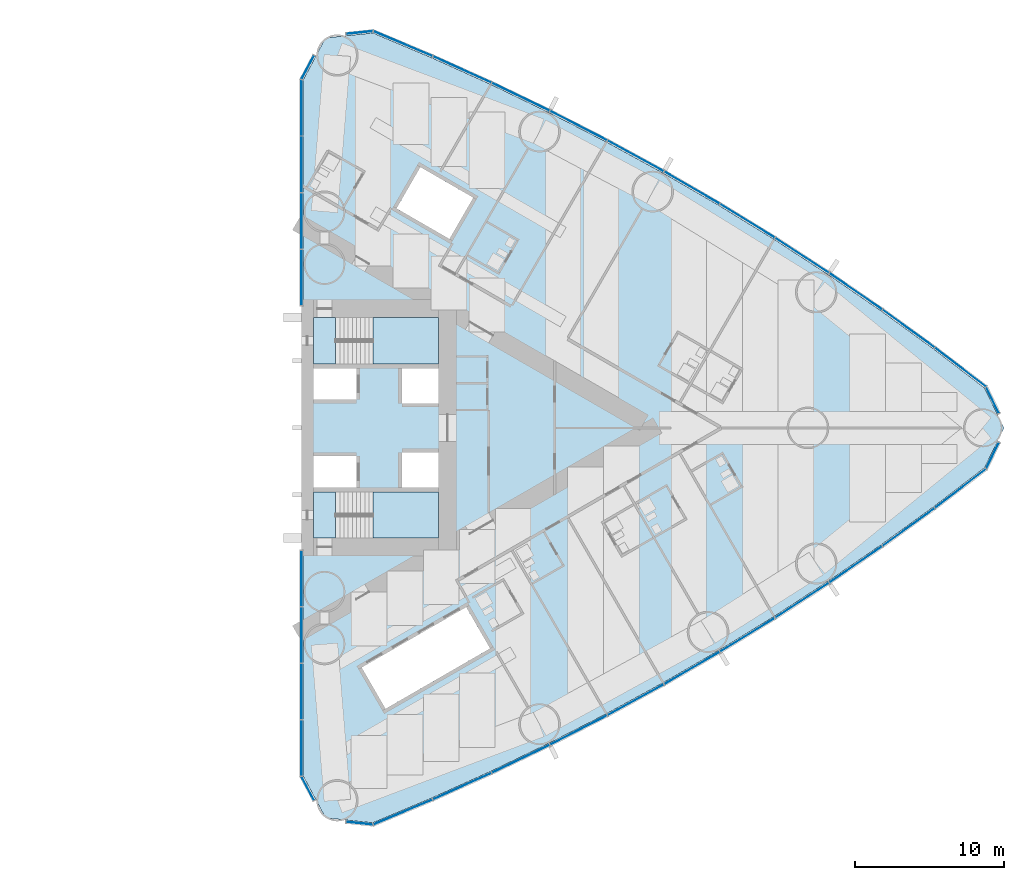
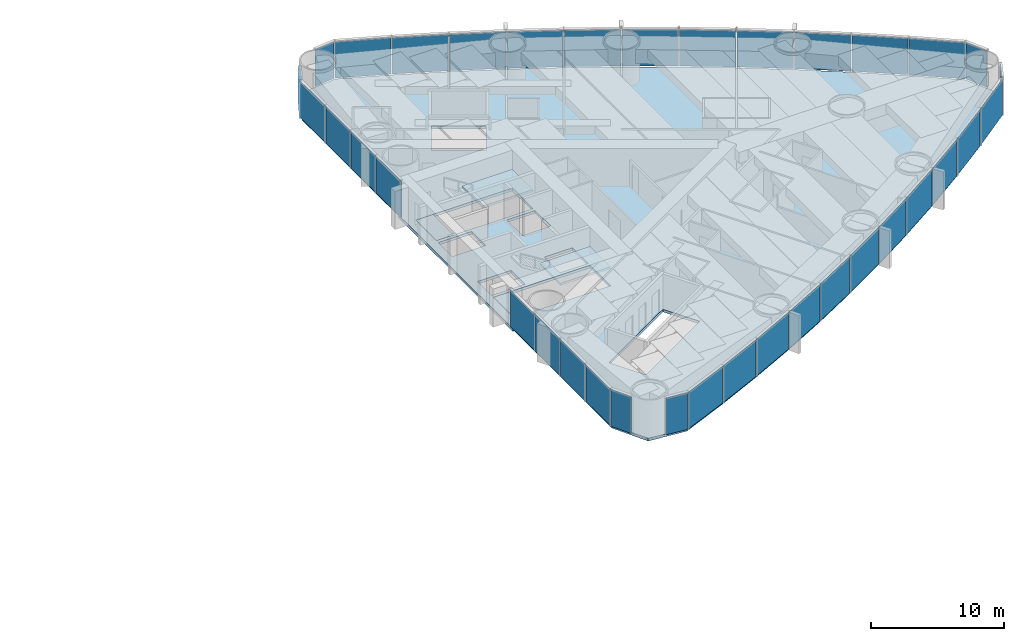
# One storey, part 10 of 18: 36 plates, 5 slabs, 6 elements without a shape of their own.
"""IFC4 building model written with IfcOpenShell, lengths in metres."""

from ifc_helpers import new_model, si_unit, direction, frame, origin, origin_2d, place, context, subcontext, project, spatial, polyline, rectangle, outline, extrude, material, layer, layer_set, type_object, element, aggregate, save


model = new_model("IFC4")

# Units and contexts
model_context = context("Model", 3, precision=1e-05, world=origin(), true_north=direction((0.0, 1.0)))
body_context = subcontext(model_context, "Body", "Model", "MODEL_VIEW")
ifc_project = project(units=[si_unit("LENGTHUNIT", "METRE"), si_unit("AREAUNIT", "SQUARE_METRE"), si_unit("VOLUMEUNIT", "CUBIC_METRE"), si_unit("PLANEANGLEUNIT", "RADIAN"), si_unit("MASSUNIT", "GRAM", prefix="KILO")], contexts=[model_context])

# Site, building, storey
site_placement = place(None, origin())
site = spatial("IfcSite", under=ifc_project, at=site_placement, CompositionType="ELEMENT")
building_placement = place(site_placement, origin())
building = spatial("IfcBuilding", under=site, at=building_placement, Name="Lancet Gate Hotel", CompositionType="ELEMENT")
storey_placement = place(building_placement, frame((0.0, 0.0, 53.0)))
storey = spatial("IfcBuildingStorey", under=building, at=storey_placement, Name="L13", CompositionType="ELEMENT", Elevation=53.0)

# Slab
ifc_material_1 = material(Name="Concrete C50/60", Category="concrete")
ifc_layer_1 = layer(ifc_material_1, 0.25)
ifc_layer_set_1 = layer_set([ifc_layer_1], Name="Floor slab 250")
slab_type_1 = type_object("IfcSlabType", Name="Floor slab 250", PredefinedType="FLOOR", material=ifc_layer_set_1)
slab_1_placement = place(storey_placement, frame((0.0, 0.0, -0.25)))
element("IfcSlab", 1, at=slab_1_placement, inside=storey, type_object=slab_type_1, Name="T2 L13 floor slab", PredefinedType="FLOOR", context=body_context, shape_type="SweptSolid", body=[
    extrude(outline(polyline([(27.5, -8.60009765625), (27.6201171875, -8.60009765625), (27.6201171875, -23.35498046875), (29.12158203125, -26.175537109375), (32.299072265625, -26.5048828125), (36.26708984375, -24.833740234375), (40.2177734375, -23.050048828125), (44.121826171875, -21.16650390625), (47.9765625, -19.18408203125), (51.77978515625, -17.104248046875), (55.528564453125, -14.92822265625), (59.220947265625, -12.657470703125), (62.854248046875, -10.29345703125), (66.42626953125, -7.837890625), (69.934814453125, -5.292236328125), (73.355712890625, -2.67431640625), (74.65576171875, 0.0), (73.355712890625, 2.67431640625), (69.934814453125, 5.292236328125), (66.42626953125, 7.837890625), (62.854248046875, 10.29345703125), (59.220947265625, 12.657470703125), (55.528564453125, 14.92822265625), (51.77978515625, 17.104248046875), (47.9765625, 19.18408203125), (44.121826171875, 21.16650390625), (40.2177734375, 23.050048828125), (36.26708984375, 24.833740234375), (32.299072265625, 26.5048828125), (29.12158203125, 26.175537109375), (27.6201171875, 23.35498046875), (27.6201171875, 8.60009765625), (27.5, 8.60009765625), (27.5, 8.199951171875), (27.5, -8.199951171875), (27.5, -8.60009765625)]), holes=[polyline([(36.699951171875, -7.39990234375), (36.699951171875, -4.300048828125), (28.300048828125, -4.300048828125), (28.300048828125, -7.39990234375), (36.699951171875, -7.39990234375)]), polyline([(28.300048828125, -4.0), (31.199951171875, -4.0), (31.199951171875, -1.89990234375), (28.300048828125, -1.89990234375), (28.300048828125, -4.0)]), polyline([(34.25, -4.0), (36.699951171875, -4.0), (36.699951171875, -1.64990234375), (34.25, -1.64990234375), (34.25, -4.0)]), polyline([(36.699951171875, 1.64990234375), (36.699951171875, 4.0), (34.25, 4.0), (34.25, 1.64990234375), (36.699951171875, 1.64990234375)]), polyline([(28.300048828125, 1.89990234375), (31.199951171875, 1.89990234375), (31.199951171875, 4.0), (28.300048828125, 4.0), (28.300048828125, 1.89990234375)]), polyline([(28.300048828125, 4.300048828125), (36.699951171875, 4.300048828125), (36.699951171875, 7.39990234375), (28.300048828125, 7.39990234375), (28.300048828125, 4.300048828125)]), polyline([(31.549072265625, -16.0810546875), (33.14892578125, -18.85205078125), (40.1640625, -14.802001953125), (38.56396484375, -12.031005859375), (31.549072265625, -16.0810546875)]), polyline([(33.887939453125, 14.73095703125), (37.43798828125, 12.680908203125), (39.0380859375, 15.451904296875), (35.488037109375, 17.501953125), (33.887939453125, 14.73095703125)])]), origin(), (0.0, 0.0, 1.0), 0.25),
])

# Stair, slabs
ifc_material_2 = material(Name="Exit stair 20 risers 1500")
stair_type = type_object("IfcStairType", Name="Exit stair 20 risers 1500", PredefinedType="HALF_TURN_STAIR", material=ifc_material_2)
stair_1_placement = place(storey_placement, origin())
stair_1 = element("IfcStair", 2, at=stair_1_placement, inside=storey, type_object=stair_type, Name="T2 stair 1 L13", PredefinedType="HALF_TURN_STAIR")
ifc_material_3 = material(Name="Concrete C40/50", Category="concrete")
ifc_layer_2 = layer(ifc_material_3, 0.199951171875)
ifc_layer_set_2 = layer_set([ifc_layer_2], Name="Stair landing 200")
slab_type_2 = type_object("IfcSlabType", Name="Stair landing 200", PredefinedType="LANDING", material=ifc_layer_set_2)
slab_2_placement = place(storey_placement, frame((0.0, 0.0, -0.199951171875)))
slab_2 = element("IfcSlab", 3, at=slab_2_placement, type_object=slab_type_2, Name="ST3 landing 1", PredefinedType="LANDING", context=body_context, shape_type="SweptSolid", body=[
    extrude(outline(polyline([(28.300048828125, -7.39990234375), (29.800048828125, -7.39990234375), (29.800048828125, -4.300048828125), (28.300048828125, -4.300048828125), (28.300048828125, -7.39990234375)])), origin(), (0.0, 0.0, 1.0), 0.199951171875),
])
slab_3_placement = place(storey_placement, frame((0.0, 0.0, 1.550048828125)))
slab_3 = element("IfcSlab", 4, at=slab_3_placement, type_object=slab_type_2, Name="ST3 landing 2", PredefinedType="LANDING", context=body_context, shape_type="SweptSolid", body=[
    extrude(outline(polyline([(32.320068359375, -7.39990234375), (36.699951171875, -7.39990234375), (36.699951171875, -4.300048828125), (32.320068359375, -4.300048828125), (32.320068359375, -7.39990234375)])), origin(), (0.0, 0.0, 1.0), 0.199951171875),
])
aggregate(stair_1, [slab_2, slab_3])

stair_2_placement = place(storey_placement, origin())
stair_2 = element("IfcStair", 5, at=stair_2_placement, inside=storey, type_object=stair_type, Name="T2 stair 2 L13", PredefinedType="HALF_TURN_STAIR")
slab_4_placement = place(storey_placement, frame((0.0, 0.0, -0.199951171875)))
slab_4 = element("IfcSlab", 6, at=slab_4_placement, type_object=slab_type_2, Name="ST4 landing 1", PredefinedType="LANDING", context=body_context, shape_type="SweptSolid", body=[
    extrude(outline(polyline([(28.300048828125, 4.300048828125), (29.800048828125, 4.300048828125), (29.800048828125, 7.39990234375), (28.300048828125, 7.39990234375), (28.300048828125, 4.300048828125)])), origin(), (0.0, 0.0, 1.0), 0.199951171875),
])
slab_5_placement = place(storey_placement, frame((0.0, 0.0, 1.550048828125)))
slab_5 = element("IfcSlab", 7, at=slab_5_placement, type_object=slab_type_2, Name="ST4 landing 2", PredefinedType="LANDING", context=body_context, shape_type="SweptSolid", body=[
    extrude(outline(polyline([(32.320068359375, 4.300048828125), (36.699951171875, 4.300048828125), (36.699951171875, 7.39990234375), (32.320068359375, 7.39990234375), (32.320068359375, 4.300048828125)])), origin(), (0.0, 0.0, 1.0), 0.199951171875),
])
aggregate(stair_2, [slab_4, slab_5])

# Curtain wall, plates
ifc_material_4 = material(Name="Aluminium curtain wall", Category="aluminium")
curtain_wall_type = type_object("IfcCurtainWallType", Name="Tower unitised curtain wall", PredefinedType="USERDEFINED", material=ifc_material_4)
curtain_wall_1_placement = place(storey_placement, origin())
curtain_wall_1 = element("IfcCurtainWall", 8, at=curtain_wall_1_placement, inside=storey, type_object=curtain_wall_type, Name="T2 L13 curtain wall 1", ObjectType="UNITISED CURTAIN WALL", PredefinedType="USERDEFINED")
ifc_material_5 = material(Name="Glass double glazed unit 8-16-6", Category="glass")
ifc_layer_3 = layer(ifc_material_5, 0.030029296875)
ifc_layer_set_3 = layer_set([ifc_layer_3], Name="Vision panel double glazed")
plate_type = type_object("IfcPlateType", Name="Vision panel double glazed", PredefinedType="CURTAIN_PANEL", material=ifc_layer_set_3)
plate_1_placement = place(storey_placement, frame((27.5, -10.09814453125, 0.0), z_axis=(0.0, 0.0, 1.0), x_axis=(0.0, -1.0, 0.0)))
plate_1 = element("IfcPlate", 9, at=plate_1_placement, type_object=plate_type, Name="T2 L13 curtain wall 1 panel 1", PredefinedType="CURTAIN_PANEL", context=body_context, shape_type="SweptSolid", body=[
    extrude(rectangle(XDim=3.731201171875, YDim=0.030029296875, at=origin_2d()), origin(), (0.0, 0.0, 1.0), 3.35009765625),
])
plate_2_placement = place(storey_placement, frame((27.5, -13.894287109375, 0.0), z_axis=(0.0, 0.0, 1.0), x_axis=(0.0, -1.0, 0.0)))
plate_2 = element("IfcPlate", 10, at=plate_2_placement, type_object=plate_type, Name="T2 L13 curtain wall 1 panel 2", PredefinedType="CURTAIN_PANEL", context=body_context, shape_type="SweptSolid", body=[
    extrude(rectangle(XDim=3.731201171875, YDim=0.030029296875, at=origin_2d()), origin(), (0.0, 0.0, 1.0), 3.35009765625),
])
plate_3_placement = place(storey_placement, frame((27.5, -17.6904296875, 0.0), z_axis=(0.0, 0.0, 1.0), x_axis=(0.0, -1.0, 0.0)))
plate_3 = element("IfcPlate", 11, at=plate_3_placement, type_object=plate_type, Name="T2 L13 curtain wall 1 panel 3", PredefinedType="CURTAIN_PANEL", context=body_context, shape_type="SweptSolid", body=[
    extrude(rectangle(XDim=3.731201171875, YDim=0.030029296875, at=origin_2d()), origin(), (0.0, 0.0, 1.0), 3.35009765625),
])
plate_4_placement = place(storey_placement, frame((27.5, -21.48681640625, 0.0), z_axis=(0.0, 0.0, 1.0), x_axis=(0.0, -1.0, 0.0)))
plate_4 = element("IfcPlate", 12, at=plate_4_placement, type_object=plate_type, Name="T2 L13 curtain wall 1 panel 4", PredefinedType="CURTAIN_PANEL", context=body_context, shape_type="SweptSolid", body=[
    extrude(rectangle(XDim=3.731201171875, YDim=0.030029296875, at=origin_2d()), origin(), (0.0, 0.0, 1.0), 3.35009765625),
])
plate_5_placement = place(storey_placement, frame((27.933349609375, -24.19873046875, 0.0), z_axis=(0.0, 0.0, 1.0), x_axis=(0.469897827284, -0.882720811987, 0.0)))
plate_5 = element("IfcPlate", 13, at=plate_5_placement, type_object=plate_type, Name="T2 L13 curtain wall 1 panel 5", PredefinedType="CURTAIN_PANEL", context=body_context, shape_type="SweptSolid", body=[
    extrude(rectangle(XDim=1.779052734375, YDim=0.030029296875, at=origin_2d()), origin(), (0.0, 0.0, 1.0), 3.35009765625),
])
aggregate(curtain_wall_1, [plate_1, plate_2, plate_3, plate_4, plate_5])

curtain_wall_2_placement = place(storey_placement, origin())
curtain_wall_2 = element("IfcCurtainWall", 14, at=curtain_wall_2_placement, inside=storey, type_object=curtain_wall_type, Name="T2 L13 curtain wall 2", ObjectType="UNITISED CURTAIN WALL", PredefinedType="USERDEFINED")
plate_6_placement = place(storey_placement, frame((31.400634765625, -26.532470703125, 0.0), z_axis=(0.0, 0.0, 1.0), x_axis=(0.994672262412, -0.10308778001, 0.0)))
plate_6 = element("IfcPlate", 15, at=plate_6_placement, type_object=plate_type, Name="T2 L13 curtain wall 2 panel 1", PredefinedType="CURTAIN_PANEL", context=body_context, shape_type="SweptSolid", body=[
    extrude(rectangle(XDim=1.7783203125, YDim=0.030029296875, at=origin_2d()), origin(), (0.0, 0.0, 1.0), 3.35009765625),
])
plate_7_placement = place(storey_placement, frame((34.316162109375, -25.78564453125, 0.0), z_axis=(0.0, 0.0, 1.0), x_axis=(0.92159330598, 0.38815689917, 0.0)))
plate_7 = element("IfcPlate", 16, at=plate_7_placement, type_object=plate_type, Name="T2 L13 curtain wall 2 panel 2", PredefinedType="CURTAIN_PANEL", context=body_context, shape_type="SweptSolid", body=[
    extrude(rectangle(XDim=4.272705078125, YDim=0.030029296875, at=origin_2d()), origin(), (0.0, 0.0, 1.0), 3.35009765625),
])
plate_8_placement = place(storey_placement, frame((38.291748046875, -24.05126953125, 0.0), z_axis=(0.0, 0.0, 1.0), x_axis=(0.911415640556, 0.41148697446, 0.0)))
plate_8 = element("IfcPlate", 17, at=plate_8_placement, type_object=plate_type, Name="T2 L13 curtain wall 2 panel 3", PredefinedType="CURTAIN_PANEL", context=body_context, shape_type="SweptSolid", body=[
    extrude(rectangle(XDim=4.272705078125, YDim=0.030029296875, at=origin_2d()), origin(), (0.0, 0.0, 1.0), 3.35009765625),
])
plate_9_placement = place(storey_placement, frame((42.221923828125, -22.21630859375, 0.0), z_axis=(0.0, 0.0, 1.0), x_axis=(0.90064748964, 0.434550456686, 0.0)))
plate_9 = element("IfcPlate", 18, at=plate_9_placement, type_object=plate_type, Name="T2 L13 curtain wall 2 panel 4", PredefinedType="CURTAIN_PANEL", context=body_context, shape_type="SweptSolid", body=[
    extrude(rectangle(XDim=4.272705078125, YDim=0.030029296875, at=origin_2d()), origin(), (0.0, 0.0, 1.0), 3.35009765625),
])
plate_10_placement = place(storey_placement, frame((46.10400390625, -20.281982421875, 0.0), z_axis=(0.0, 0.0, 1.0), x_axis=(0.889295829671, 0.457332403541, 0.0)))
plate_10 = element("IfcPlate", 19, at=plate_10_placement, type_object=plate_type, Name="T2 L13 curtain wall 2 panel 5", PredefinedType="CURTAIN_PANEL", context=body_context, shape_type="SweptSolid", body=[
    extrude(rectangle(XDim=4.272705078125, YDim=0.030029296875, at=origin_2d()), origin(), (0.0, 0.0, 1.0), 3.35009765625),
])
plate_11_placement = place(storey_placement, frame((49.935791015625, -18.249267578125, 0.0), z_axis=(0.0, 0.0, 1.0), x_axis=(0.877368015134, 0.47981805512, 0.0)))
plate_11 = element("IfcPlate", 20, at=plate_11_placement, type_object=plate_type, Name="T2 L13 curtain wall 2 panel 6", PredefinedType="CURTAIN_PANEL", context=body_context, shape_type="SweptSolid", body=[
    extrude(rectangle(XDim=4.272705078125, YDim=0.030029296875, at=origin_2d()), origin(), (0.0, 0.0, 1.0), 3.35009765625),
])
plate_12_placement = place(storey_placement, frame((53.71435546875, -16.119873046875, 0.0), z_axis=(0.0, 0.0, 1.0), x_axis=(0.864871773788, 0.501992843479, 0.0)))
plate_12 = element("IfcPlate", 21, at=plate_12_placement, type_object=plate_type, Name="T2 L13 curtain wall 2 panel 7", PredefinedType="CURTAIN_PANEL", context=body_context, shape_type="SweptSolid", body=[
    extrude(rectangle(XDim=4.272705078125, YDim=0.030029296875, at=origin_2d()), origin(), (0.0, 0.0, 1.0), 3.35009765625),
])
plate_13_placement = place(storey_placement, frame((57.437744140625, -13.89501953125, 0.0), z_axis=(0.0, 0.0, 1.0), x_axis=(0.851815201664, 0.523842402077, 0.0)))
plate_13 = element("IfcPlate", 22, at=plate_13_placement, type_object=plate_type, Name="T2 L13 curtain wall 2 panel 8", PredefinedType="CURTAIN_PANEL", context=body_context, shape_type="SweptSolid", body=[
    extrude(rectangle(XDim=4.272705078125, YDim=0.030029296875, at=origin_2d()), origin(), (0.0, 0.0, 1.0), 3.35009765625),
])
plate_14_placement = place(storey_placement, frame((61.10302734375, -11.576171875, 0.0), z_axis=(0.0, 0.0, 1.0), x_axis=(0.838206757819, 0.54535257508, 0.0)))
plate_14 = element("IfcPlate", 23, at=plate_14_placement, type_object=plate_type, Name="T2 L13 curtain wall 2 panel 9", PredefinedType="CURTAIN_PANEL", context=body_context, shape_type="SweptSolid", body=[
    extrude(rectangle(XDim=4.272705078125, YDim=0.030029296875, at=origin_2d()), origin(), (0.0, 0.0, 1.0), 3.35009765625),
])
plate_15_placement = place(storey_placement, frame((64.708251953125, -9.16455078125, 0.0), z_axis=(0.0, 0.0, 1.0), x_axis=(0.824055258853, 0.566509426538, 0.0)))
plate_15 = element("IfcPlate", 24, at=plate_15_placement, type_object=plate_type, Name="T2 L13 curtain wall 2 panel 10", PredefinedType="CURTAIN_PANEL", context=body_context, shape_type="SweptSolid", body=[
    extrude(rectangle(XDim=4.272705078125, YDim=0.030029296875, at=origin_2d()), origin(), (0.0, 0.0, 1.0), 3.35009765625),
])
plate_16_placement = place(storey_placement, frame((68.2509765625, -6.662109375, 0.0), z_axis=(0.0, 0.0, 1.0), x_axis=(0.809369873203, 0.587299249405, 0.0)))
plate_16 = element("IfcPlate", 25, at=plate_16_placement, type_object=plate_type, Name="T2 L13 curtain wall 2 panel 11", PredefinedType="CURTAIN_PANEL", context=body_context, shape_type="SweptSolid", body=[
    extrude(rectangle(XDim=4.272705078125, YDim=0.030029296875, at=origin_2d()), origin(), (0.0, 0.0, 1.0), 3.35009765625),
])
plate_17_placement = place(storey_placement, frame((71.72900390625, -4.0703125, 0.0), z_axis=(0.0, 0.0, 1.0), x_axis=(0.794160115195, 0.607708574428, 0.0)))
plate_17 = element("IfcPlate", 26, at=plate_17_placement, type_object=plate_type, Name="T2 L13 curtain wall 2 panel 12", PredefinedType="CURTAIN_PANEL", context=body_context, shape_type="SweptSolid", body=[
    extrude(rectangle(XDim=4.272705078125, YDim=0.030029296875, at=origin_2d()), origin(), (0.0, 0.0, 1.0), 3.35009765625),
])
plate_18_placement = place(storey_placement, frame((73.88671875, -1.856201171875, 0.0), z_axis=(0.0, 0.0, 1.0), x_axis=(0.437169070119, 0.899379343843, 0.0)))
plate_18 = element("IfcPlate", 27, at=plate_18_placement, type_object=plate_type, Name="T2 L13 curtain wall 2 panel 13", PredefinedType="CURTAIN_PANEL", context=body_context, shape_type="SweptSolid", body=[
    extrude(rectangle(XDim=1.92724609375, YDim=0.030029296875, at=origin_2d()), origin(), (0.0, 0.0, 1.0), 3.35009765625),
])
aggregate(curtain_wall_2, [plate_6, plate_7, plate_8, plate_9, plate_10, plate_11, plate_12, plate_13, plate_14, plate_15, plate_16, plate_17, plate_18])

curtain_wall_3_placement = place(storey_placement, origin())
curtain_wall_3 = element("IfcCurtainWall", 28, at=curtain_wall_3_placement, inside=storey, type_object=curtain_wall_type, Name="T2 L13 curtain wall 3", ObjectType="UNITISED CURTAIN WALL", PredefinedType="USERDEFINED")
plate_19_placement = place(storey_placement, frame((73.88671875, 1.856201171875, 0.0), z_axis=(0.0, 0.0, 1.0), x_axis=(-0.437169070119, 0.899379343843, 0.0)))
plate_19 = element("IfcPlate", 29, at=plate_19_placement, type_object=plate_type, Name="T2 L13 curtain wall 3 panel 1", PredefinedType="CURTAIN_PANEL", context=body_context, shape_type="SweptSolid", body=[
    extrude(rectangle(XDim=1.92724609375, YDim=0.030029296875, at=origin_2d()), origin(), (0.0, 0.0, 1.0), 3.35009765625),
])
plate_20_placement = place(storey_placement, frame((71.72900390625, 4.0703125, 0.0), z_axis=(0.0, 0.0, 1.0), x_axis=(-0.794160115195, 0.607708574428, 0.0)))
plate_20 = element("IfcPlate", 30, at=plate_20_placement, type_object=plate_type, Name="T2 L13 curtain wall 3 panel 2", PredefinedType="CURTAIN_PANEL", context=body_context, shape_type="SweptSolid", body=[
    extrude(rectangle(XDim=4.272705078125, YDim=0.030029296875, at=origin_2d()), origin(), (0.0, 0.0, 1.0), 3.35009765625),
])
plate_21_placement = place(storey_placement, frame((68.2509765625, 6.662109375, 0.0), z_axis=(0.0, 0.0, 1.0), x_axis=(-0.809369873203, 0.587299249405, 0.0)))
plate_21 = element("IfcPlate", 31, at=plate_21_placement, type_object=plate_type, Name="T2 L13 curtain wall 3 panel 3", PredefinedType="CURTAIN_PANEL", context=body_context, shape_type="SweptSolid", body=[
    extrude(rectangle(XDim=4.272705078125, YDim=0.030029296875, at=origin_2d()), origin(), (0.0, 0.0, 1.0), 3.35009765625),
])
plate_22_placement = place(storey_placement, frame((64.708251953125, 9.16455078125, 0.0), z_axis=(0.0, 0.0, 1.0), x_axis=(-0.824055258853, 0.566509426538, 0.0)))
plate_22 = element("IfcPlate", 32, at=plate_22_placement, type_object=plate_type, Name="T2 L13 curtain wall 3 panel 4", PredefinedType="CURTAIN_PANEL", context=body_context, shape_type="SweptSolid", body=[
    extrude(rectangle(XDim=4.272705078125, YDim=0.030029296875, at=origin_2d()), origin(), (0.0, 0.0, 1.0), 3.35009765625),
])
plate_23_placement = place(storey_placement, frame((61.10302734375, 11.576171875, 0.0), z_axis=(0.0, 0.0, 1.0), x_axis=(-0.838206757819, 0.54535257508, 0.0)))
plate_23 = element("IfcPlate", 33, at=plate_23_placement, type_object=plate_type, Name="T2 L13 curtain wall 3 panel 5", PredefinedType="CURTAIN_PANEL", context=body_context, shape_type="SweptSolid", body=[
    extrude(rectangle(XDim=4.272705078125, YDim=0.030029296875, at=origin_2d()), origin(), (0.0, 0.0, 1.0), 3.35009765625),
])
plate_24_placement = place(storey_placement, frame((57.437744140625, 13.89501953125, 0.0), z_axis=(0.0, 0.0, 1.0), x_axis=(-0.851815201664, 0.523842402077, 0.0)))
plate_24 = element("IfcPlate", 34, at=plate_24_placement, type_object=plate_type, Name="T2 L13 curtain wall 3 panel 6", PredefinedType="CURTAIN_PANEL", context=body_context, shape_type="SweptSolid", body=[
    extrude(rectangle(XDim=4.272705078125, YDim=0.030029296875, at=origin_2d()), origin(), (0.0, 0.0, 1.0), 3.35009765625),
])
plate_25_placement = place(storey_placement, frame((53.71435546875, 16.119873046875, 0.0), z_axis=(0.0, 0.0, 1.0), x_axis=(-0.864871773788, 0.501992843479, 0.0)))
plate_25 = element("IfcPlate", 35, at=plate_25_placement, type_object=plate_type, Name="T2 L13 curtain wall 3 panel 7", PredefinedType="CURTAIN_PANEL", context=body_context, shape_type="SweptSolid", body=[
    extrude(rectangle(XDim=4.272705078125, YDim=0.030029296875, at=origin_2d()), origin(), (0.0, 0.0, 1.0), 3.35009765625),
])
plate_26_placement = place(storey_placement, frame((49.935791015625, 18.249267578125, 0.0), z_axis=(0.0, 0.0, 1.0), x_axis=(-0.877368015134, 0.47981805512, 0.0)))
plate_26 = element("IfcPlate", 36, at=plate_26_placement, type_object=plate_type, Name="T2 L13 curtain wall 3 panel 8", PredefinedType="CURTAIN_PANEL", context=body_context, shape_type="SweptSolid", body=[
    extrude(rectangle(XDim=4.272705078125, YDim=0.030029296875, at=origin_2d()), origin(), (0.0, 0.0, 1.0), 3.35009765625),
])
plate_27_placement = place(storey_placement, frame((46.10400390625, 20.281982421875, 0.0), z_axis=(0.0, 0.0, 1.0), x_axis=(-0.889295829671, 0.457332403541, 0.0)))
plate_27 = element("IfcPlate", 37, at=plate_27_placement, type_object=plate_type, Name="T2 L13 curtain wall 3 panel 9", PredefinedType="CURTAIN_PANEL", context=body_context, shape_type="SweptSolid", body=[
    extrude(rectangle(XDim=4.272705078125, YDim=0.030029296875, at=origin_2d()), origin(), (0.0, 0.0, 1.0), 3.35009765625),
])
plate_28_placement = place(storey_placement, frame((42.221923828125, 22.21630859375, 0.0), z_axis=(0.0, 0.0, 1.0), x_axis=(-0.90064748964, 0.434550456686, 0.0)))
plate_28 = element("IfcPlate", 38, at=plate_28_placement, type_object=plate_type, Name="T2 L13 curtain wall 3 panel 10", PredefinedType="CURTAIN_PANEL", context=body_context, shape_type="SweptSolid", body=[
    extrude(rectangle(XDim=4.272705078125, YDim=0.030029296875, at=origin_2d()), origin(), (0.0, 0.0, 1.0), 3.35009765625),
])
plate_29_placement = place(storey_placement, frame((38.291748046875, 24.05126953125, 0.0), z_axis=(0.0, 0.0, 1.0), x_axis=(-0.911415640556, 0.41148697446, 0.0)))
plate_29 = element("IfcPlate", 39, at=plate_29_placement, type_object=plate_type, Name="T2 L13 curtain wall 3 panel 11", PredefinedType="CURTAIN_PANEL", context=body_context, shape_type="SweptSolid", body=[
    extrude(rectangle(XDim=4.272705078125, YDim=0.030029296875, at=origin_2d()), origin(), (0.0, 0.0, 1.0), 3.35009765625),
])
plate_30_placement = place(storey_placement, frame((34.316162109375, 25.78564453125, 0.0), z_axis=(0.0, 0.0, 1.0), x_axis=(-0.92159330598, 0.38815689917, 0.0)))
plate_30 = element("IfcPlate", 40, at=plate_30_placement, type_object=plate_type, Name="T2 L13 curtain wall 3 panel 12", PredefinedType="CURTAIN_PANEL", context=body_context, shape_type="SweptSolid", body=[
    extrude(rectangle(XDim=4.272705078125, YDim=0.030029296875, at=origin_2d()), origin(), (0.0, 0.0, 1.0), 3.35009765625),
])
plate_31_placement = place(storey_placement, frame((31.400634765625, 26.532470703125, 0.0), z_axis=(0.0, 0.0, 1.0), x_axis=(-0.994672262412, -0.10308778001, 0.0)))
plate_31 = element("IfcPlate", 41, at=plate_31_placement, type_object=plate_type, Name="T2 L13 curtain wall 3 panel 13", PredefinedType="CURTAIN_PANEL", context=body_context, shape_type="SweptSolid", body=[
    extrude(rectangle(XDim=1.7783203125, YDim=0.030029296875, at=origin_2d()), origin(), (0.0, 0.0, 1.0), 3.35009765625),
])
aggregate(curtain_wall_3, [plate_19, plate_20, plate_21, plate_22, plate_23, plate_24, plate_25, plate_26, plate_27, plate_28, plate_29, plate_30, plate_31])

curtain_wall_4_placement = place(storey_placement, origin())
curtain_wall_4 = element("IfcCurtainWall", 42, at=curtain_wall_4_placement, inside=storey, type_object=curtain_wall_type, Name="T2 L13 curtain wall 4", ObjectType="UNITISED CURTAIN WALL", PredefinedType="USERDEFINED")
plate_32_placement = place(storey_placement, frame((27.933349609375, 24.19873046875, 0.0), z_axis=(0.0, 0.0, 1.0), x_axis=(-0.469897827284, -0.882720811987, 0.0)))
plate_32 = element("IfcPlate", 43, at=plate_32_placement, type_object=plate_type, Name="T2 L13 curtain wall 4 panel 1", PredefinedType="CURTAIN_PANEL", context=body_context, shape_type="SweptSolid", body=[
    extrude(rectangle(XDim=1.779052734375, YDim=0.030029296875, at=origin_2d()), origin(), (0.0, 0.0, 1.0), 3.35009765625),
])
plate_33_placement = place(storey_placement, frame((27.5, 21.48681640625, 0.0), z_axis=(0.0, 0.0, 1.0), x_axis=(0.0, -1.0, 0.0)))
plate_33 = element("IfcPlate", 44, at=plate_33_placement, type_object=plate_type, Name="T2 L13 curtain wall 4 panel 2", PredefinedType="CURTAIN_PANEL", context=body_context, shape_type="SweptSolid", body=[
    extrude(rectangle(XDim=3.731201171875, YDim=0.030029296875, at=origin_2d()), origin(), (0.0, 0.0, 1.0), 3.35009765625),
])
plate_34_placement = place(storey_placement, frame((27.5, 17.6904296875, 0.0), z_axis=(0.0, 0.0, 1.0), x_axis=(0.0, -1.0, 0.0)))
plate_34 = element("IfcPlate", 45, at=plate_34_placement, type_object=plate_type, Name="T2 L13 curtain wall 4 panel 3", PredefinedType="CURTAIN_PANEL", context=body_context, shape_type="SweptSolid", body=[
    extrude(rectangle(XDim=3.731201171875, YDim=0.030029296875, at=origin_2d()), origin(), (0.0, 0.0, 1.0), 3.35009765625),
])
plate_35_placement = place(storey_placement, frame((27.5, 13.894287109375, 0.0), z_axis=(0.0, 0.0, 1.0), x_axis=(0.0, -1.0, 0.0)))
plate_35 = element("IfcPlate", 46, at=plate_35_placement, type_object=plate_type, Name="T2 L13 curtain wall 4 panel 4", PredefinedType="CURTAIN_PANEL", context=body_context, shape_type="SweptSolid", body=[
    extrude(rectangle(XDim=3.731201171875, YDim=0.030029296875, at=origin_2d()), origin(), (0.0, 0.0, 1.0), 3.35009765625),
])
plate_36_placement = place(storey_placement, frame((27.5, 10.09814453125, 0.0), z_axis=(0.0, 0.0, 1.0), x_axis=(0.0, -1.0, 0.0)))
plate_36 = element("IfcPlate", 47, at=plate_36_placement, type_object=plate_type, Name="T2 L13 curtain wall 4 panel 5", PredefinedType="CURTAIN_PANEL", context=body_context, shape_type="SweptSolid", body=[
    extrude(rectangle(XDim=3.731201171875, YDim=0.030029296875, at=origin_2d()), origin(), (0.0, 0.0, 1.0), 3.35009765625),
])
aggregate(curtain_wall_4, [plate_32, plate_33, plate_34, plate_35, plate_36])

save(model, "model.ifc")
